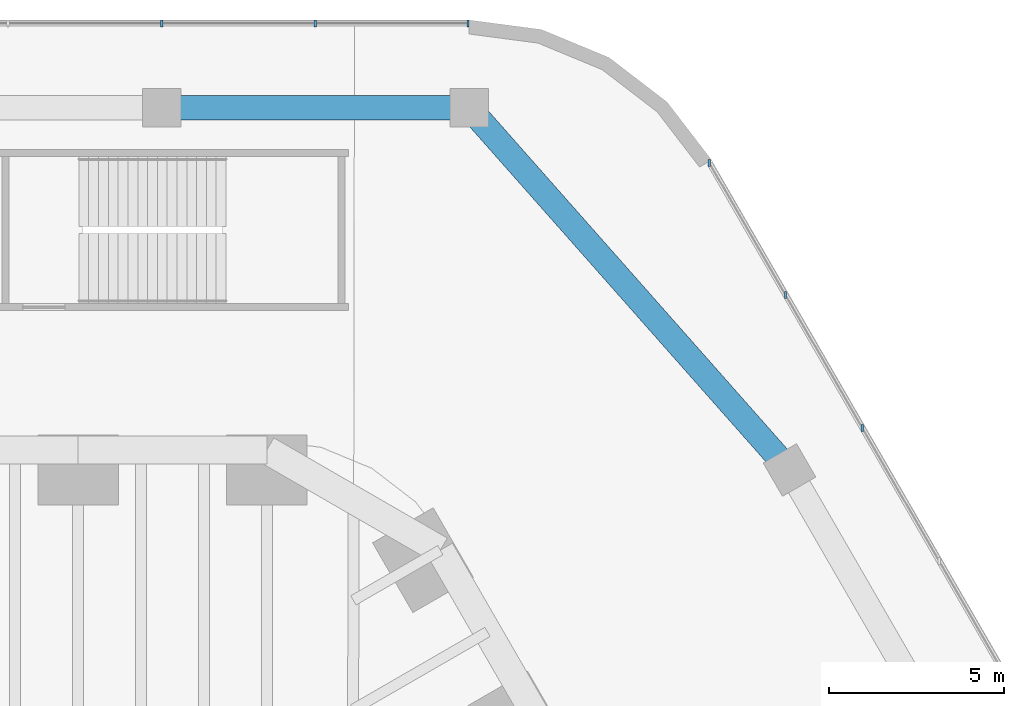
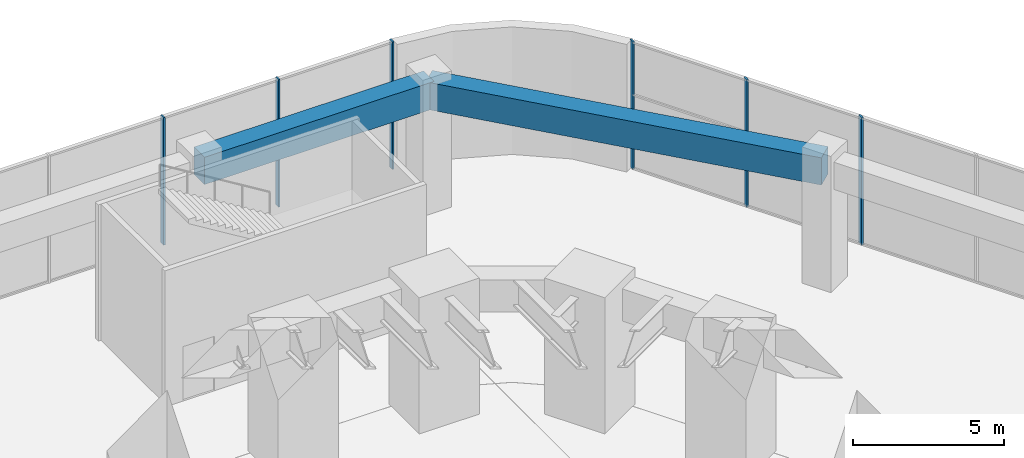
# One storey, part 22 of 31: 6 members, 2 beams, 2 elements without a shape of their own.
"""IFC4 building model written with IfcOpenShell, lengths in metres."""

from ifc_helpers import new_model, si_unit, direction, frame, origin, origin_2d, place, context, subcontext, project, spatial, rectangle, extrude, material, material_profile, profile_set, type_object, element, aggregate, save


model = new_model("IFC4")

# Units and contexts
model_context = context("Model", 3, precision=1e-05, world=origin(), true_north=direction((0.0, 1.0)))
body_context = subcontext(model_context, "Body", "Model", "MODEL_VIEW")
ifc_project = project(units=[si_unit("LENGTHUNIT", "METRE"), si_unit("AREAUNIT", "SQUARE_METRE"), si_unit("VOLUMEUNIT", "CUBIC_METRE"), si_unit("PLANEANGLEUNIT", "RADIAN"), si_unit("MASSUNIT", "GRAM", prefix="KILO")], contexts=[model_context])

# Site, building, storey
site_placement = place(None, origin())
site = spatial("IfcSite", under=ifc_project, at=site_placement, CompositionType="ELEMENT")
building_placement = place(site_placement, origin())
building = spatial("IfcBuilding", under=site, at=building_placement, Name="Tarfa Lantern Tower", CompositionType="ELEMENT")
storey_placement = place(building_placement, frame((0.0, 0.0, 13.0)))
storey = spatial("IfcBuildingStorey", under=building, at=storey_placement, Name="L02", CompositionType="ELEMENT", Elevation=13.0)

# Curtain wall, members
ifc_material_1 = material(Name="Aluminium framed curtain wall", Category="aluminium")
curtain_wall_type = type_object("IfcCurtainWallType", Name="CW7 PODIUM GLAZING 5150", PredefinedType="USERDEFINED", material=ifc_material_1)
curtain_wall_1_placement = place(storey_placement, origin())
curtain_wall_1 = element("IfcCurtainWall", 1, at=curtain_wall_1_placement, inside=storey, type_object=curtain_wall_type, Name="CW7 NE L02", ObjectType="CURTAIN WALL", PredefinedType="USERDEFINED")
ifc_material_2 = material(Name="Aluminium mullion", Category="aluminium")
ifc_material_profile_1 = material_profile(ifc_material_2, rectangle(XDim=0.06494140625, YDim=0.199951171875, at=origin_2d()), Name="AL MULLION 65x200")
ifc_profile_set_1 = profile_set([ifc_material_profile_1], Name="Aluminium mullion")
member_type = type_object("IfcMemberType", Name="CWM1 MULLION 65x200", PredefinedType="MULLION", material=ifc_profile_set_1)
member_1_placement = place(storey_placement, frame((33.168701171875, 34.35009765625, 0.0), z_axis=(0.0, 0.0, 1.0), x_axis=(1.0, 0.0, 0.0)))
member_1 = element("IfcMember", 2, at=member_1_placement, type_object=member_type, Name="CW7 mullion 9", PredefinedType="MULLION", context=body_context, shape_type="SweptSolid", body=[
    extrude(rectangle(XDim=0.06494140625, YDim=0.199951171875, at=origin_2d()), origin(), (0.0, 0.0, 1.0), 5.14990234375),
])
member_2_placement = place(storey_placement, frame((30.974853515625, 38.14990234375, 0.0), z_axis=(0.0, 0.0, 1.0), x_axis=(1.0, 0.0, 0.0)))
member_2 = element("IfcMember", 3, at=member_2_placement, type_object=member_type, Name="CW7 mullion 10", PredefinedType="MULLION", context=body_context, shape_type="SweptSolid", body=[
    extrude(rectangle(XDim=0.06494140625, YDim=0.199951171875, at=origin_2d()), origin(), (0.0, 0.0, 1.0), 5.14990234375),
])
member_3_placement = place(storey_placement, frame((28.797119140625, 41.921875, 0.0), z_axis=(0.0, 0.0, 1.0), x_axis=(1.0, 0.0, 0.0)))
member_3 = element("IfcMember", 4, at=member_3_placement, type_object=member_type, Name="CW7 mullion 11", PredefinedType="MULLION", context=body_context, shape_type="SweptSolid", body=[
    extrude(rectangle(XDim=0.06494140625, YDim=0.199951171875, at=origin_2d()), origin(), (0.0, 0.0, 1.0), 5.14990234375),
])
aggregate(curtain_wall_1, [member_1, member_2, member_3])

curtain_wall_2_placement = place(storey_placement, origin())
curtain_wall_2 = element("IfcCurtainWall", 5, at=curtain_wall_2_placement, inside=storey, type_object=curtain_wall_type, Name="CW7 N L02", ObjectType="CURTAIN WALL", PredefinedType="USERDEFINED")
member_4_placement = place(storey_placement, frame((21.90673828125, 45.89990234375, 0.0), z_axis=(0.0, 0.0, 1.0), x_axis=(1.0, 0.0, 0.0)))
member_4 = element("IfcMember", 6, at=member_4_placement, type_object=member_type, Name="CW7 mullion 1", PredefinedType="MULLION", context=body_context, shape_type="SweptSolid", body=[
    extrude(rectangle(XDim=0.06494140625, YDim=0.199951171875, at=origin_2d()), origin(), (0.0, 0.0, 1.0), 5.14990234375),
])
member_5_placement = place(storey_placement, frame((17.551513671875, 45.89990234375, 0.0), z_axis=(0.0, 0.0, 1.0), x_axis=(1.0, 0.0, 0.0)))
member_5 = element("IfcMember", 7, at=member_5_placement, type_object=member_type, Name="CW7 mullion 2", PredefinedType="MULLION", context=body_context, shape_type="SweptSolid", body=[
    extrude(rectangle(XDim=0.06494140625, YDim=0.199951171875, at=origin_2d()), origin(), (0.0, 0.0, 1.0), 5.14990234375),
])
member_6_placement = place(storey_placement, frame((13.16357421875, 45.89990234375, 0.0), z_axis=(0.0, 0.0, 1.0), x_axis=(1.0, 0.0, 0.0)))
member_6 = element("IfcMember", 8, at=member_6_placement, type_object=member_type, Name="CW7 mullion 3", PredefinedType="MULLION", context=body_context, shape_type="SweptSolid", body=[
    extrude(rectangle(XDim=0.06494140625, YDim=0.199951171875, at=origin_2d()), origin(), (0.0, 0.0, 1.0), 5.14990234375),
])
aggregate(curtain_wall_2, [member_4, member_5, member_6])

# Beams
ifc_material_3 = material(Name="Concrete C80/95", Category="concrete")
ifc_material_profile_2 = material_profile(ifc_material_3, rectangle(XDim=0.699951171875, YDim=1.10009765625, at=origin_2d()), Name="RC 700x1100")
ifc_profile_set_2 = profile_set([ifc_material_profile_2], Name="Concrete C80/95")
beam_type = type_object("IfcBeamType", Name="PB1 RC 700x1100", PredefinedType="BEAM", material=ifc_profile_set_2)
beam_1_placement = place(storey_placement, frame((31.09033203125, 33.14990234375, 4.60009765625), z_axis=(-0.662381688084, 0.74916653642, 0.0), x_axis=(-0.74916653642, -0.662381688084, 0.0)))
element("IfcBeam", 9, at=beam_1_placement, inside=storey, type_object=beam_type, Name="Podium ring beam NE4", PredefinedType="BEAM", context=body_context, shape_type="SweptSolid", body=[
    extrude(rectangle(XDim=0.699951171875, YDim=1.10009765625, at=origin_2d()), origin(), (0.0, 0.0, 1.0), 13.8154296875),
])
beam_2_placement = place(storey_placement, frame((21.939208984375, 43.5, 4.60009765625), z_axis=(-1.0, 0.0, 0.0), x_axis=(0.0, -1.0, 0.0)))
element("IfcBeam", 10, at=beam_2_placement, inside=storey, type_object=beam_type, Name="Podium ring beam N0", PredefinedType="BEAM", context=body_context, shape_type="SweptSolid", body=[
    extrude(rectangle(XDim=0.699951171875, YDim=1.10009765625, at=origin_2d()), origin(), (0.0, 0.0, 1.0), 8.775634765625),
])

save(model, "model.ifc")
